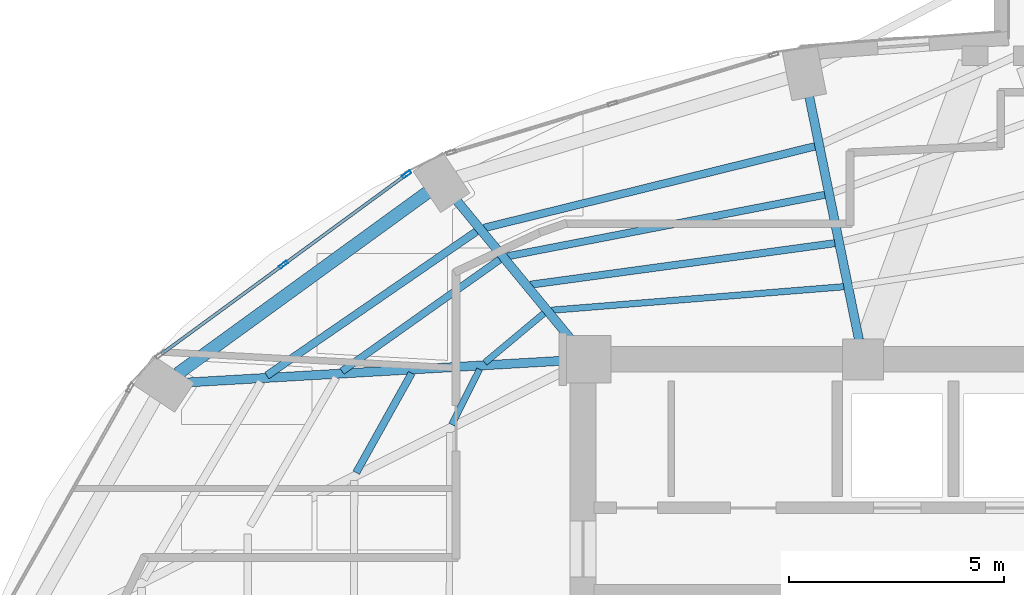
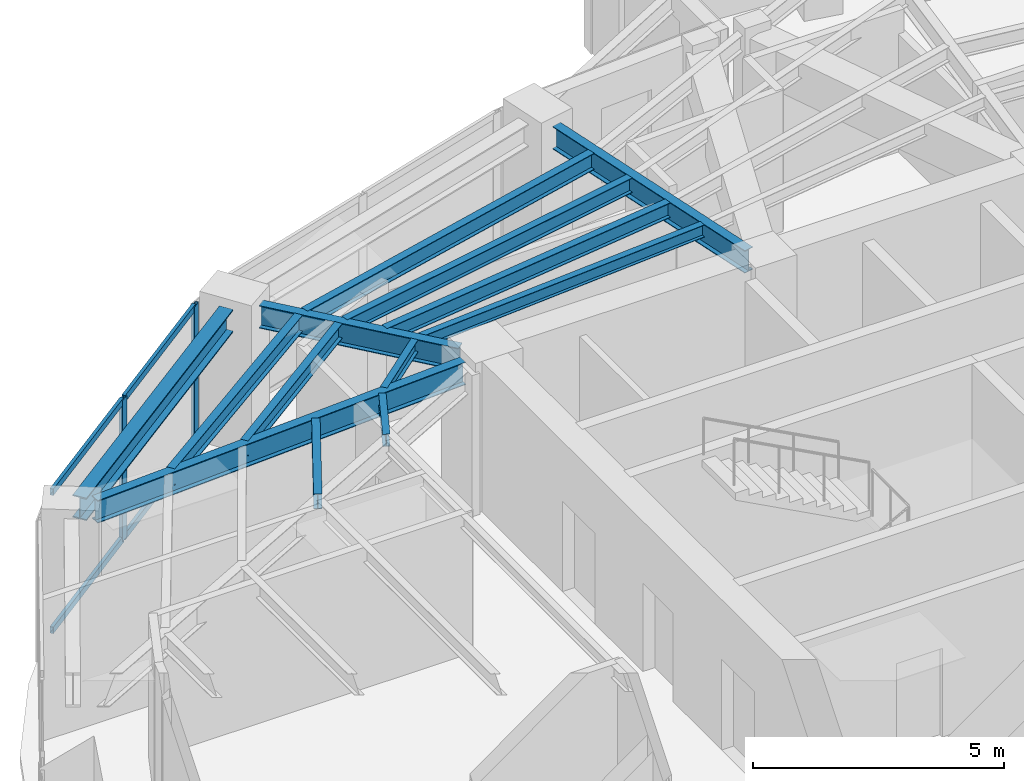
# One storey, part 7 of 20: 13 beams, 6 members, 1 element without a shape of its own.
"""IFC4 building model written with IfcOpenShell, lengths in metres."""

from ifc_helpers import new_model, si_unit, direction, frame, origin, origin_2d, place, context, subcontext, project, spatial, hollow_rectangle, i_section, extrude, material, layer, layer_set, material_profile, profile_set, type_object, element, aggregate, save


model = new_model("IFC4")

# Units and contexts
model_context = context("Model", 3, precision=1e-05, world=origin(), true_north=direction((0.0, 1.0)))
body_context = subcontext(model_context, "Body", "Model", "MODEL_VIEW")
ifc_project = project(units=[si_unit("LENGTHUNIT", "METRE"), si_unit("AREAUNIT", "SQUARE_METRE"), si_unit("VOLUMEUNIT", "CUBIC_METRE"), si_unit("PLANEANGLEUNIT", "RADIAN"), si_unit("MASSUNIT", "GRAM", prefix="KILO")], contexts=[model_context])

# Site, building, storey
site_placement = place(None, origin())
site = spatial("IfcSite", under=ifc_project, at=site_placement, CompositionType="ELEMENT")
building_placement = place(site_placement, origin())
building = spatial("IfcBuilding", under=site, at=building_placement, Name="Lazwardi Medical Tower", CompositionType="ELEMENT")
storey_placement = place(building_placement, frame((0.0, 0.0, 174.76806640625)))
storey = spatial("IfcBuildingStorey", under=building, at=storey_placement, Name="L45", CompositionType="ELEMENT", Elevation=174.76806640625)

# Beams
ifc_material_1 = material(Name="Steel S355", Category="steel")
ifc_material_profile_1 = material_profile(ifc_material_1, i_section(OverallWidth=0.300048828125, OverallDepth=0.550048828125, WebThickness=0.014892578125, FlangeThickness=0.029052734375, at=origin_2d()), Name="HEB 550")
ifc_profile_set_1 = profile_set([ifc_material_profile_1], Name="Steel S355")
beam_type_1 = type_object("IfcBeamType", Name="BM-RB-Z3", PredefinedType="BEAM", material=ifc_profile_set_1)
beam_1_placement = place(storey_placement, frame((22.689697265625, 39.479248046875, 3.15283203125), z_axis=(-0.809127570774, -0.587633026824, 0.0), x_axis=(0.587633026824, -0.809127570774, 0.0)))
element("IfcBeam", 1, at=beam_1_placement, inside=storey, type_object=beam_type_1, Name="Ring beam RB-04 B10 L45", PredefinedType="BEAM", context=body_context, shape_type="SweptSolid", body=[
    extrude(i_section(OverallWidth=0.300048828125, OverallDepth=0.550048828125, WebThickness=0.014892578125, FlangeThickness=0.029052734375, at=origin_2d()), origin(), (0.0, 0.0, 1.0), 7.170166015625),
])
ifc_material_profile_2 = material_profile(ifc_material_1, i_section(OverallWidth=0.2099609375, OverallDepth=0.550048828125, WebThickness=0.010986328125, FlangeThickness=0.01708984375, at=origin_2d()), Name="IPE 550")
ifc_profile_set_2 = profile_set([ifc_material_profile_2], Name="Steel S355")
beam_type_2 = type_object("IfcBeamType", Name="BM-RG-W2", PredefinedType="BEAM", material=ifc_profile_set_2)
beam_2_placement = place(storey_placement, frame((31.552001953125, 41.7001953125, 3.15283203125), z_axis=(0.200429485343, -0.979708130723, 0.0), x_axis=(0.979708130723, 0.200429485343, 0.0)))
element("IfcBeam", 2, at=beam_2_placement, inside=storey, type_object=beam_type_2, Name="Radial girder RG-03 R09 L45", PredefinedType="BEAM", context=body_context, shape_type="SweptSolid", body=[
    extrude(i_section(OverallWidth=0.2099609375, OverallDepth=0.550048828125, WebThickness=0.010986328125, FlangeThickness=0.01708984375, at=origin_2d()), origin(), (0.0, 0.0, 1.0), 5.766357421875),
])
beam_3_placement = place(storey_placement, frame((23.369384765625, 39.28173828125, 3.15283203125), z_axis=(0.635555639966, -0.772055068312, 0.0), x_axis=(0.772055068312, 0.635555639966, 0.0)))
element("IfcBeam", 3, at=beam_3_placement, inside=storey, type_object=beam_type_2, Name="Radial girder RG-03 R10 L45", PredefinedType="BEAM", context=body_context, shape_type="SweptSolid", body=[
    extrude(i_section(OverallWidth=0.2099609375, OverallDepth=0.550048828125, WebThickness=0.010986328125, FlangeThickness=0.01708984375, at=origin_2d()), origin(), (0.0, 0.0, 1.0), 4.233642578125),
])
beam_4_placement = place(storey_placement, frame((17.12353515625, 35.063232421875, 3.15283203125), z_axis=(0.998330154646, 0.057765927014, 0.0), x_axis=(-0.057765927014, 0.998330154646, 0.0)))
element("IfcBeam", 4, at=beam_4_placement, inside=storey, type_object=beam_type_2, Name="Radial girder RG-03 R11 L45", PredefinedType="BEAM", context=body_context, shape_type="SweptSolid", body=[
    extrude(i_section(OverallWidth=0.2099609375, OverallDepth=0.550048828125, WebThickness=0.010986328125, FlangeThickness=0.01708984375, at=origin_2d()), origin(), (0.0, 0.0, 1.0), 8.757080078125),
])
ifc_material_profile_3 = material_profile(ifc_material_1, i_section(OverallWidth=0.179931640625, OverallDepth=0.39990234375, WebThickness=0.008544921875, FlangeThickness=0.013427734375, at=origin_2d()), Name="IPE 400")
ifc_profile_set_3 = profile_set([ifc_material_profile_3], Name="Steel S355")
beam_type_3 = type_object("IfcBeamType", Name="BM-SJ-01", PredefinedType="JOIST", material=ifc_profile_set_3)
beam_5_placement = place(storey_placement, frame((31.68603515625, 40.54638671875, 3.22802734375), z_axis=(-0.970912648168, -0.239433977597, 0.0), x_axis=(0.239433977597, -0.970912648168, 0.0)))
element("IfcBeam", 5, at=beam_5_placement, inside=storey, type_object=beam_type_3, Name="Secondary joist SJ-01 R1 B09 L45", PredefinedType="JOIST", context=body_context, shape_type="SweptSolid", body=[
    extrude(i_section(OverallWidth=0.179931640625, OverallDepth=0.39990234375, WebThickness=0.008544921875, FlangeThickness=0.013427734375, at=origin_2d()), origin(), (0.0, 0.0, 1.0), 7.91162109375),
])
beam_6_placement = place(storey_placement, frame((23.8251953125, 38.5712890625, 3.22802734375), z_axis=(-0.823932256005, -0.566688307198, 0.0), x_axis=(0.566688307198, -0.823932256005, 0.0)))
element("IfcBeam", 6, at=beam_6_placement, inside=storey, type_object=beam_type_3, Name="Secondary joist SJ-01 R1 B10 L45", PredefinedType="JOIST", context=body_context, shape_type="SweptSolid", body=[
    extrude(i_section(OverallWidth=0.179931640625, OverallDepth=0.39990234375, WebThickness=0.008544921875, FlangeThickness=0.013427734375, at=origin_2d()), origin(), (0.0, 0.0, 1.0), 5.91162109375),
])
ifc_material_profile_4 = material_profile(ifc_material_1, i_section(OverallWidth=0.169921875, OverallDepth=0.360107421875, WebThickness=0.008056640625, FlangeThickness=0.0126953125, at=origin_2d()), Name="IPE 360")
ifc_profile_set_4 = profile_set([ifc_material_profile_4], Name="Steel S355")
beam_type_4 = type_object("IfcBeamType", Name="BM-SJ-02", PredefinedType="JOIST", material=ifc_profile_set_4)
beam_7_placement = place(storey_placement, frame((31.916015625, 39.42138671875, 3.248046875), z_axis=(-0.981753035865, -0.190160396953, 0.0), x_axis=(0.190160396953, -0.981753035865, 0.0)))
element("IfcBeam", 7, at=beam_7_placement, inside=storey, type_object=beam_type_4, Name="Secondary joist SJ-02 R2 B09 L45", PredefinedType="JOIST", context=body_context, shape_type="SweptSolid", body=[
    extrude(i_section(OverallWidth=0.169921875, OverallDepth=0.360107421875, WebThickness=0.008056640625, FlangeThickness=0.0126953125, at=origin_2d()), origin(), (0.0, 0.0, 1.0), 7.50927734375),
])
beam_8_placement = place(storey_placement, frame((24.364013671875, 37.91650390625, 3.248046875), z_axis=(-0.816108950798, -0.577898070967, 0.0), x_axis=(0.577898070967, -0.816108950798, 0.0)))
element("IfcBeam", 8, at=beam_8_placement, inside=storey, type_object=beam_type_4, Name="Secondary joist SJ-02 R2 B10 L45", PredefinedType="JOIST", context=body_context, shape_type="SweptSolid", body=[
    extrude(i_section(OverallWidth=0.169921875, OverallDepth=0.360107421875, WebThickness=0.008056640625, FlangeThickness=0.0126953125, at=origin_2d()), origin(), (0.0, 0.0, 1.0), 4.487060546875),
])
beam_9_placement = place(storey_placement, frame((32.146484375, 38.297119140625, 3.248046875), z_axis=(-0.990832043476, -0.135099450852, 0.0), x_axis=(0.135099450852, -0.990832043476, 0.0)))
element("IfcBeam", 9, at=beam_9_placement, inside=storey, type_object=beam_type_4, Name="Secondary joist SJ-02 R3 B09 L45", PredefinedType="JOIST", context=body_context, shape_type="SweptSolid", body=[
    extrude(i_section(OverallWidth=0.169921875, OverallDepth=0.360107421875, WebThickness=0.008056640625, FlangeThickness=0.0126953125, at=origin_2d()), origin(), (0.0, 0.0, 1.0), 7.129150390625),
])
beam_10_placement = place(storey_placement, frame((22.3203125, 35.279296875, 3.248046875), z_axis=(-0.487099444348, -0.87334651274, 0.0), x_axis=(0.87334651274, -0.487099444348, 0.0)))
element("IfcBeam", 10, at=beam_10_placement, inside=storey, type_object=beam_type_4, Name="Secondary joist SJ-02 R3 B11 L45", PredefinedType="JOIST", context=body_context, shape_type="SweptSolid", body=[
    extrude(i_section(OverallWidth=0.169921875, OverallDepth=0.360107421875, WebThickness=0.008056640625, FlangeThickness=0.0126953125, at=origin_2d()), origin(), (0.0, 0.0, 1.0), 2.64599609375),
])
ifc_material_profile_5 = material_profile(ifc_material_1, i_section(OverallWidth=0.14990234375, OverallDepth=0.300048828125, WebThickness=0.007080078125, FlangeThickness=0.0107421875, at=origin_2d()), Name="IPE 300")
ifc_profile_set_5 = profile_set([ifc_material_profile_5], Name="Steel S355")
beam_type_5 = type_object("IfcBeamType", Name="BM-SJ-03", PredefinedType="JOIST", material=ifc_profile_set_5)
beam_11_placement = place(storey_placement, frame((32.353759765625, 37.28564453125, 3.27783203125), z_axis=(-0.996785792338, -0.08011294647, 0.0), x_axis=(0.08011294647, -0.996785792338, 0.0)))
element("IfcBeam", 11, at=beam_11_placement, inside=storey, type_object=beam_type_5, Name="Secondary joist SJ-03 R4 B09 L45", PredefinedType="JOIST", context=body_context, shape_type="SweptSolid", body=[
    extrude(i_section(OverallWidth=0.14990234375, OverallDepth=0.300048828125, WebThickness=0.007080078125, FlangeThickness=0.0107421875, at=origin_2d()), origin(), (0.0, 0.0, 1.0), 6.80810546875),
])
beam_12_placement = place(storey_placement, frame((25.391357421875, 36.668212890625, 3.27783203125), z_axis=(-0.767437193893, -0.641124132621, 0.0), x_axis=(0.641124132621, -0.767437193893, 0.0)))
element("IfcBeam", 12, at=beam_12_placement, inside=storey, type_object=beam_type_5, Name="Secondary joist SJ-03 R4 B10 L45", PredefinedType="JOIST", context=body_context, shape_type="SweptSolid", body=[
    extrude(i_section(OverallWidth=0.14990234375, OverallDepth=0.300048828125, WebThickness=0.007080078125, FlangeThickness=0.0107421875, at=origin_2d()), origin(), (0.0, 0.0, 1.0), 1.787841796875),
])
beam_13_placement = place(storey_placement, frame((23.8974609375, 35.368408203125, 3.27783203125), z_axis=(-0.450406075332, -0.892823816497, 0.0), x_axis=(0.892823816497, -0.450406075332, 0.0)))
element("IfcBeam", 13, at=beam_13_placement, inside=storey, type_object=beam_type_5, Name="Secondary joist SJ-03 R4 B11 L45", PredefinedType="JOIST", context=body_context, shape_type="SweptSolid", body=[
    extrude(i_section(OverallWidth=0.14990234375, OverallDepth=0.300048828125, WebThickness=0.007080078125, FlangeThickness=0.0107421875, at=origin_2d()), origin(), (0.0, 0.0, 1.0), 1.4365234375),
])

# Curtain wall, members
ifc_material_2 = material(Name="Anodised bronze aluminium and solar control glazing", Category="aluminium")
ifc_layer = layer(ifc_material_2, 0.195068359375)
ifc_layer_set = layer_set([ifc_layer], Name="Anodised bronze aluminium and solar control glazing")
curtain_wall_type = type_object("IfcCurtainWallType", Name="CW-SYS-03", PredefinedType="NOTDEFINED", material=ifc_layer_set)
curtain_wall_placement = place(storey_placement, origin())
curtain_wall = element("IfcCurtainWall", 14, at=curtain_wall_placement, inside=storey, type_object=curtain_wall_type, Name="L45 Unitised bronze curtain wall CW-03", PredefinedType="NOTDEFINED")
ifc_material_3 = material(Name="Anodised bronze aluminium", Category="aluminium")
ifc_material_profile_6 = material_profile(ifc_material_3, hollow_rectangle(XDim=0.074951171875, YDim=0.219970703125, WallThickness=0.00390625, at=origin_2d()), Name="ALU-MULLION 220x75x4")
ifc_profile_set_6 = profile_set([ifc_material_profile_6], Name="Anodised bronze aluminium")
member_type_1 = type_object("IfcMemberType", Name="CW-MUL-01", PredefinedType="MULLION", material=ifc_profile_set_6)
member_1_placement = place(storey_placement, frame((22.204345703125, 39.894775390625, 0.0), z_axis=(0.0, 0.0, 1.0), x_axis=(0.590833862635, -0.806793249082, 0.0)))
member_1 = element("IfcMember", 15, at=member_1_placement, type_object=member_type_1, Name="CW-03 mullion 1", PredefinedType="MULLION", context=body_context, shape_type="SweptSolid", body=[
    extrude(hollow_rectangle(XDim=0.074951171875, YDim=0.219970703125, WallThickness=0.00390625, at=origin_2d()), origin(), (0.0, 0.0, 1.0), 3.427978515625),
])
member_2_placement = place(storey_placement, frame((19.34228515625, 37.798828125, 0.0), z_axis=(0.0, 0.0, 1.0), x_axis=(0.590833862635, -0.806793249082, 0.0)))
member_2 = element("IfcMember", 16, at=member_2_placement, type_object=member_type_1, Name="CW-03 mullion 2", PredefinedType="MULLION", context=body_context, shape_type="SweptSolid", body=[
    extrude(hollow_rectangle(XDim=0.074951171875, YDim=0.219970703125, WallThickness=0.00390625, at=origin_2d()), origin(), (0.0, 0.0, 1.0), 3.427978515625),
])
ifc_material_profile_7 = material_profile(ifc_material_3, hollow_rectangle(XDim=0.074951171875, YDim=0.159912109375, WallThickness=0.00390625, at=origin_2d()), Name="ALU-TRANSOM 160x75x4")
ifc_profile_set_7 = profile_set([ifc_material_profile_7], Name="Anodised bronze aluminium")
member_type_2 = type_object("IfcMemberType", Name="CW-TRN-01", PredefinedType="USERDEFINED", material=ifc_profile_set_7)
member_3_placement = place(storey_placement, frame((22.174072265625, 39.872802734375, 0.037353515625), z_axis=(-0.806773646358, -0.590860629542, 0.0), x_axis=(0.590860629542, -0.806773646358, 0.0)))
member_3 = element("IfcMember", 17, at=member_3_placement, type_object=member_type_2, Name="CW-03 transom 1.1", ObjectType="TRANSOM", PredefinedType="USERDEFINED", context=body_context, shape_type="SweptSolid", body=[
    extrude(hollow_rectangle(XDim=0.074951171875, YDim=0.159912109375, WallThickness=0.00390625, at=origin_2d()), origin(), (0.0, 0.0, 1.0), 3.472412109375),
])
member_4_placement = place(storey_placement, frame((22.174072265625, 39.872802734375, 3.390380859375), z_axis=(-0.806773646358, -0.590860629542, 0.0), x_axis=(0.590860629542, -0.806773646358, 0.0)))
member_4 = element("IfcMember", 18, at=member_4_placement, type_object=member_type_2, Name="CW-03 transom 1.2", ObjectType="TRANSOM", PredefinedType="USERDEFINED", context=body_context, shape_type="SweptSolid", body=[
    extrude(hollow_rectangle(XDim=0.074951171875, YDim=0.159912109375, WallThickness=0.00390625, at=origin_2d()), origin(), (0.0, 0.0, 1.0), 3.472412109375),
])
member_5_placement = place(storey_placement, frame((19.31201171875, 37.77685546875, 0.037353515625), z_axis=(-0.806773646358, -0.590860629542, 0.0), x_axis=(0.590860629542, -0.806773646358, 0.0)))
member_5 = element("IfcMember", 19, at=member_5_placement, type_object=member_type_2, Name="CW-03 transom 2.1", ObjectType="TRANSOM", PredefinedType="USERDEFINED", context=body_context, shape_type="SweptSolid", body=[
    extrude(hollow_rectangle(XDim=0.074951171875, YDim=0.159912109375, WallThickness=0.00390625, at=origin_2d()), origin(), (0.0, 0.0, 1.0), 3.472412109375),
])
member_6_placement = place(storey_placement, frame((19.31201171875, 37.77685546875, 3.390380859375), z_axis=(-0.806773646358, -0.590860629542, 0.0), x_axis=(0.590860629542, -0.806773646358, 0.0)))
member_6 = element("IfcMember", 20, at=member_6_placement, type_object=member_type_2, Name="CW-03 transom 2.2", ObjectType="TRANSOM", PredefinedType="USERDEFINED", context=body_context, shape_type="SweptSolid", body=[
    extrude(hollow_rectangle(XDim=0.074951171875, YDim=0.159912109375, WallThickness=0.00390625, at=origin_2d()), origin(), (0.0, 0.0, 1.0), 3.472412109375),
])
aggregate(curtain_wall, [member_1, member_2, member_3, member_4, member_5, member_6])

save(model, "model.ifc")
